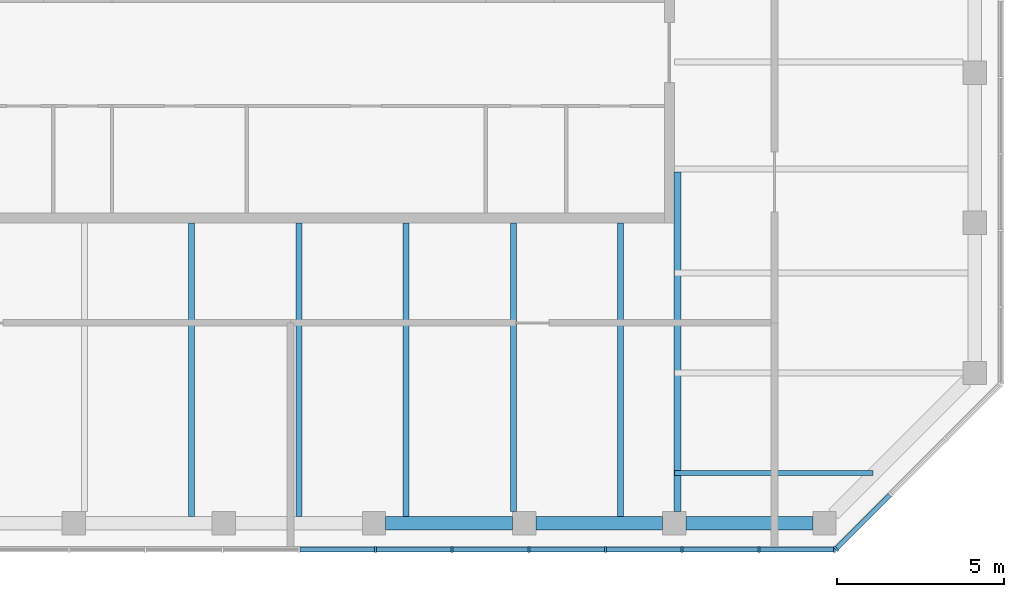
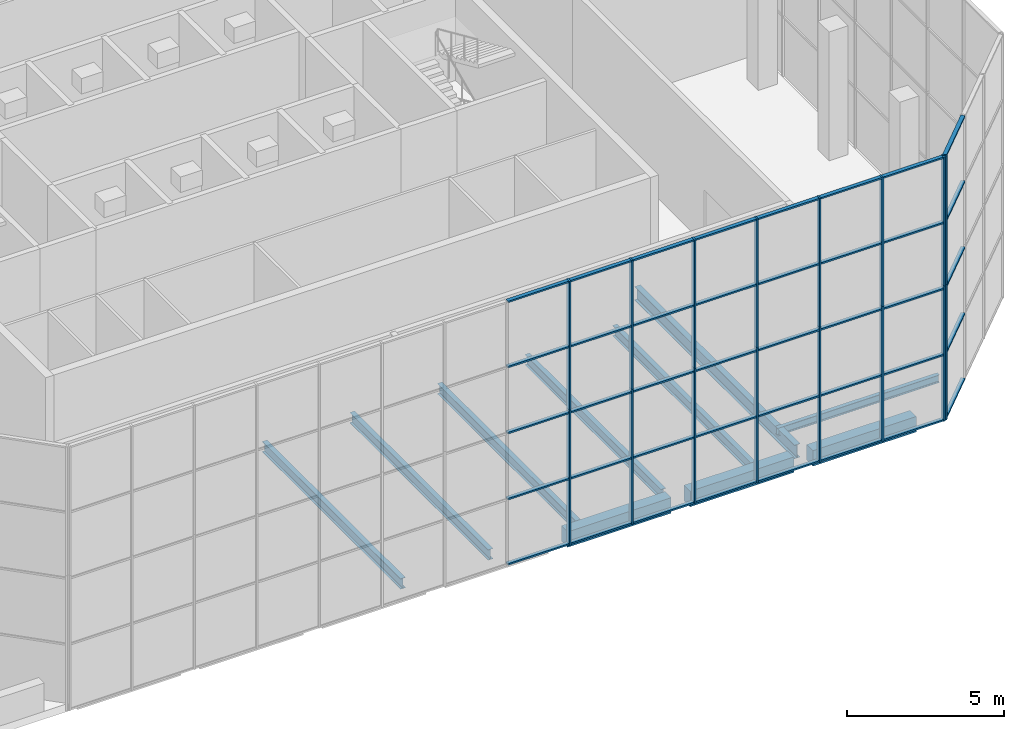
# One storey, part 5 of 19: 56 members, 10 beams, 2 elements without a shape of their own.
"""IFC4 building model written with IfcOpenShell, lengths in metres."""

from ifc_helpers import new_model, si_unit, direction, frame, origin, origin_2d, place, context, subcontext, project, spatial, rectangle, i_section, extrude, material, constituent, constituent_set, material_profile, profile_set, type_object, element, aggregate, save


model = new_model("IFC4")

# Units and contexts
model_context = context("Model", 3, precision=1e-05, world=origin(), true_north=direction((0.0, 1.0)))
body_context = subcontext(model_context, "Body", "Model", "MODEL_VIEW")
ifc_project = project(units=[si_unit("LENGTHUNIT", "METRE"), si_unit("AREAUNIT", "SQUARE_METRE"), si_unit("VOLUMEUNIT", "CUBIC_METRE"), si_unit("PLANEANGLEUNIT", "RADIAN"), si_unit("MASSUNIT", "GRAM", prefix="KILO")], contexts=[model_context])

# Site, building, storey
site_placement = place(None, origin())
site = spatial("IfcSite", under=ifc_project, at=site_placement, CompositionType="ELEMENT")
building_placement = place(site_placement, origin())
building = spatial("IfcBuilding", under=site, at=building_placement, Name="Quoin Convention Tower", CompositionType="ELEMENT")
storey_placement = place(building_placement, frame((0.0, 0.0, 263.699951171875)))
storey = spatial("IfcBuildingStorey", under=building, at=storey_placement, Name="L69", CompositionType="ELEMENT", Elevation=263.699951171875)

# Beams
ifc_material_1 = material(Name="Steel Grade 300", Category="steel")
ifc_material_profile_1 = material_profile(ifc_material_1, i_section(OverallWidth=0.14892578125, OverallDepth=0.298095703125, WebThickness=0.005615234375, FlangeThickness=0.008056640625, FilletRadius=0.012939453125, at=origin_2d()), Name="310UB32.0")
ifc_profile_set_1 = profile_set([ifc_material_profile_1], Name="Steel Grade 300")
beam_type_1 = type_object("IfcBeamType", Name="310UB32.0", PredefinedType="BEAM", material=ifc_profile_set_1)
beam_1_placement = place(storey_placement, frame((67.5, 42.0, -0.39892578125), z_axis=(1.0, 0.0, 0.0), x_axis=(0.0, 1.0, 0.0)))
element("IfcBeam", 1, at=beam_1_placement, inside=storey, type_object=beam_type_1, Name="bm-L69-T1SE0", PredefinedType="BEAM", context=body_context, shape_type="SweptSolid", body=[
    extrude(i_section(OverallWidth=0.14892578125, OverallDepth=0.298095703125, WebThickness=0.005615234375, FlangeThickness=0.008056640625, FilletRadius=0.012939453125, at=origin_2d()), origin(), (0.0, 0.0, 1.0), 5.947509765625),
])
ifc_material_profile_2 = material_profile(ifc_material_1, i_section(OverallWidth=0.177978515625, OverallDepth=0.403076171875, WebThickness=0.007568359375, FlangeThickness=0.010986328125, FilletRadius=0.011474609375, at=origin_2d()), Name="410UB53.7")
ifc_profile_set_2 = profile_set([ifc_material_profile_2], Name="Steel Grade 300")
beam_type_2 = type_object("IfcBeamType", Name="410UB53.7", PredefinedType="BEAM", material=ifc_profile_set_2)
for number, where, z_axis, x_axis, name in (
    (2, (53.03564453125, 40.699951171875, -0.451416015625), (0.0, 1.0, 0.0), (-1.0, 0.0, 0.0), "bm-L69-T1S2"),
    (3, (56.25, 40.699951171875, -0.451416015625), (0.0, 1.0, 0.0), (-1.0, 0.0, 0.0), "bm-L69-T1S3"),
    (4, (59.46435546875, 40.699951171875, -0.451416015625), (0.0, 1.0, 0.0), (-1.0, 0.0, 0.0), "bm-L69-T1S4"),
):
    element("IfcBeam", number, at=place(storey_placement, frame(where, z_axis=z_axis, x_axis=x_axis)), inside=storey, type_object=beam_type_2, Name=name, PredefinedType="BEAM", context=body_context, shape_type="SweptSolid", body=[
        extrude(i_section(OverallWidth=0.177978515625, OverallDepth=0.403076171875, WebThickness=0.007568359375, FlangeThickness=0.010986328125, FilletRadius=0.011474609375, at=origin_2d()), origin(), (0.0, 0.0, 1.0), 8.800048828125),
    ])
beam_2_placement = place(storey_placement, frame((62.6787109375, 40.85009765625, -0.451416015625), z_axis=(0.0, 1.0, 0.0), x_axis=(-1.0, 0.0, 0.0)))
element("IfcBeam", 5, at=beam_2_placement, inside=storey, type_object=beam_type_2, Name="bm-L69-T1S5", PredefinedType="BEAM", context=body_context, shape_type="SweptSolid", body=[
    extrude(i_section(OverallWidth=0.177978515625, OverallDepth=0.403076171875, WebThickness=0.007568359375, FlangeThickness=0.010986328125, FilletRadius=0.011474609375, at=origin_2d()), origin(), (0.0, 0.0, 1.0), 8.64990234375),
])
beam_3_placement = place(storey_placement, frame((65.892822265625, 40.699951171875, -0.451416015625), z_axis=(0.0, 1.0, 0.0), x_axis=(-1.0, 0.0, 0.0)))
element("IfcBeam", 6, at=beam_3_placement, inside=storey, type_object=beam_type_2, Name="bm-L69-T1S6", PredefinedType="BEAM", context=body_context, shape_type="SweptSolid", body=[
    extrude(i_section(OverallWidth=0.177978515625, OverallDepth=0.403076171875, WebThickness=0.007568359375, FlangeThickness=0.010986328125, FilletRadius=0.011474609375, at=origin_2d()), origin(), (0.0, 0.0, 1.0), 8.800048828125),
])
ifc_material_profile_3 = material_profile(ifc_material_1, i_section(OverallWidth=0.208984375, OverallDepth=0.528076171875, WebThickness=0.009521484375, FlangeThickness=0.01318359375, FilletRadius=0.013916015625, at=origin_2d()), Name="530UB82.0")
ifc_profile_set_3 = profile_set([ifc_material_profile_3], Name="Steel Grade 300")
beam_type_3 = type_object("IfcBeamType", Name="530UB82.0", PredefinedType="BEAM", material=ifc_profile_set_3)
beam_4_placement = place(storey_placement, frame((67.595458984375, 40.85009765625, -0.513916015625), z_axis=(0.0, 1.0, 0.0), x_axis=(-1.0, 0.0, 0.0)))
element("IfcBeam", 7, at=beam_4_placement, inside=storey, type_object=beam_type_3, Name="gir-L69-T1SE", PredefinedType="BEAM", context=body_context, shape_type="SweptSolid", body=[
    extrude(i_section(OverallWidth=0.208984375, OverallDepth=0.528076171875, WebThickness=0.009521484375, FlangeThickness=0.01318359375, FilletRadius=0.013916015625, at=origin_2d()), origin(), (0.0, 0.0, 1.0), 10.16796875),
])

# Curtain wall, members
ifc_material_2 = material(Name="Aluminium", Category="aluminium")
ifc_constituent_1 = constituent(ifc_material_2, Name="Frame")
ifc_material_3 = material(Name="Insulated glass", Category="glass")
ifc_constituent_2 = constituent(ifc_material_3, Name="Glazing")
ifc_constituent_set = constituent_set(constituents=[ifc_constituent_1, ifc_constituent_2], Name="Aluminium")
curtain_wall_type = type_object("IfcCurtainWallType", Name="Lantern wall system", PredefinedType="NOTDEFINED", material=ifc_constituent_set)
curtain_wall_1_placement = place(storey_placement, origin())
curtain_wall_1 = element("IfcCurtainWall", 8, at=curtain_wall_1_placement, inside=storey, type_object=curtain_wall_type, Name="crn-LNW-72000_40500", PredefinedType="NOTDEFINED")
ifc_material_profile_4 = material_profile(ifc_material_2, rectangle(XDim=0.179931640625, YDim=0.06005859375, at=origin_2d()), Name="Lantern wall mullion 60x180")
ifc_profile_set_4 = profile_set([ifc_material_profile_4], Name="Aluminium")
member_type_1 = type_object("IfcMemberType", Name="Lantern wall mullion 60x180", PredefinedType="MULLION", material=ifc_profile_set_4)
member_1_placement = place(storey_placement, frame((72.348388671875, 39.731201171875, -0.25), z_axis=(0.0, 0.0, 1.0), x_axis=(-0.707106781187, 0.707106781187, 0.0)))
member_1 = element("IfcMember", 9, at=member_1_placement, type_object=member_type_1, Name="CW5 mullion 1", PredefinedType="MULLION", context=body_context, shape_type="SweptSolid", body=[
    extrude(rectangle(XDim=0.179931640625, YDim=0.06005859375, at=origin_2d()), origin(), (0.0, 0.0, 1.0), 5.25),
])
member_2_placement = place(storey_placement, frame((72.348388671875, 39.731201171875, 5.0), z_axis=(0.0, 0.0, 1.0), x_axis=(-0.707106781187, 0.707106781187, 0.0)))
member_2 = element("IfcMember", 10, at=member_2_placement, type_object=member_type_1, Name="CW5 mullion 1", PredefinedType="MULLION", context=body_context, shape_type="SweptSolid", body=[
    extrude(rectangle(XDim=0.179931640625, YDim=0.06005859375, at=origin_2d()), origin(), (0.0, 0.0, 1.0), 5.0),
])

curtain_wall_2_placement = place(storey_placement, origin())
curtain_wall_2 = element("IfcCurtainWall", 11, at=curtain_wall_2_placement, inside=storey, type_object=curtain_wall_type, Name="crn-LNW-40500_40500", PredefinedType="NOTDEFINED")
member_3_placement = place(storey_placement, frame((58.546630859375, 39.7099609375, -0.25), z_axis=(0.0, 0.0, 1.0), x_axis=(0.0, 1.0, 0.0)))
member_3 = element("IfcMember", 12, at=member_3_placement, type_object=member_type_1, Name="CW5 mullion 9", PredefinedType="MULLION", context=body_context, shape_type="SweptSolid", body=[
    extrude(rectangle(XDim=0.179931640625, YDim=0.06005859375, at=origin_2d()), origin(), (0.0, 0.0, 1.0), 5.25),
])
member_4_placement = place(storey_placement, frame((60.843505859375, 39.7099609375, -0.25), z_axis=(0.0, 0.0, 1.0), x_axis=(0.0, 1.0, 0.0)))
member_4 = element("IfcMember", 13, at=member_4_placement, type_object=member_type_1, Name="CW5 mullion 10", PredefinedType="MULLION", context=body_context, shape_type="SweptSolid", body=[
    extrude(rectangle(XDim=0.179931640625, YDim=0.06005859375, at=origin_2d()), origin(), (0.0, 0.0, 1.0), 5.25),
])
member_5_placement = place(storey_placement, frame((63.14013671875, 39.7099609375, -0.25), z_axis=(0.0, 0.0, 1.0), x_axis=(0.0, 1.0, 0.0)))
member_5 = element("IfcMember", 14, at=member_5_placement, type_object=member_type_1, Name="CW5 mullion 11", PredefinedType="MULLION", context=body_context, shape_type="SweptSolid", body=[
    extrude(rectangle(XDim=0.179931640625, YDim=0.06005859375, at=origin_2d()), origin(), (0.0, 0.0, 1.0), 5.25),
])
member_6_placement = place(storey_placement, frame((65.43701171875, 39.7099609375, -0.25), z_axis=(0.0, 0.0, 1.0), x_axis=(0.0, 1.0, 0.0)))
member_6 = element("IfcMember", 15, at=member_6_placement, type_object=member_type_1, Name="CW5 mullion 12", PredefinedType="MULLION", context=body_context, shape_type="SweptSolid", body=[
    extrude(rectangle(XDim=0.179931640625, YDim=0.06005859375, at=origin_2d()), origin(), (0.0, 0.0, 1.0), 5.25),
])
member_7_placement = place(storey_placement, frame((67.733642578125, 39.7099609375, -0.25), z_axis=(0.0, 0.0, 1.0), x_axis=(0.0, 1.0, 0.0)))
member_7 = element("IfcMember", 16, at=member_7_placement, type_object=member_type_1, Name="CW5 mullion 13", PredefinedType="MULLION", context=body_context, shape_type="SweptSolid", body=[
    extrude(rectangle(XDim=0.179931640625, YDim=0.06005859375, at=origin_2d()), origin(), (0.0, 0.0, 1.0), 5.25),
])
member_8_placement = place(storey_placement, frame((70.030517578125, 39.7099609375, -0.25), z_axis=(0.0, 0.0, 1.0), x_axis=(0.0, 1.0, 0.0)))
member_8 = element("IfcMember", 17, at=member_8_placement, type_object=member_type_1, Name="CW5 mullion 14", PredefinedType="MULLION", context=body_context, shape_type="SweptSolid", body=[
    extrude(rectangle(XDim=0.179931640625, YDim=0.06005859375, at=origin_2d()), origin(), (0.0, 0.0, 1.0), 5.25),
])
member_9_placement = place(storey_placement, frame((72.297119140625, 39.7099609375, -0.25), z_axis=(0.0, 0.0, 1.0), x_axis=(0.0, 1.0, 0.0)))
member_9 = element("IfcMember", 18, at=member_9_placement, type_object=member_type_1, Name="CW5 mullion 15", PredefinedType="MULLION", context=body_context, shape_type="SweptSolid", body=[
    extrude(rectangle(XDim=0.179931640625, YDim=0.06005859375, at=origin_2d()), origin(), (0.0, 0.0, 1.0), 5.25),
])
member_10_placement = place(storey_placement, frame((58.546630859375, 39.7099609375, 5.0), z_axis=(0.0, 0.0, 1.0), x_axis=(0.0, 1.0, 0.0)))
member_10 = element("IfcMember", 19, at=member_10_placement, type_object=member_type_1, Name="CW5 mullion 9", PredefinedType="MULLION", context=body_context, shape_type="SweptSolid", body=[
    extrude(rectangle(XDim=0.179931640625, YDim=0.06005859375, at=origin_2d()), origin(), (0.0, 0.0, 1.0), 5.0),
])
member_11_placement = place(storey_placement, frame((60.843505859375, 39.7099609375, 5.0), z_axis=(0.0, 0.0, 1.0), x_axis=(0.0, 1.0, 0.0)))
member_11 = element("IfcMember", 20, at=member_11_placement, type_object=member_type_1, Name="CW5 mullion 10", PredefinedType="MULLION", context=body_context, shape_type="SweptSolid", body=[
    extrude(rectangle(XDim=0.179931640625, YDim=0.06005859375, at=origin_2d()), origin(), (0.0, 0.0, 1.0), 5.0),
])
member_12_placement = place(storey_placement, frame((63.14013671875, 39.7099609375, 5.0), z_axis=(0.0, 0.0, 1.0), x_axis=(0.0, 1.0, 0.0)))
member_12 = element("IfcMember", 21, at=member_12_placement, type_object=member_type_1, Name="CW5 mullion 11", PredefinedType="MULLION", context=body_context, shape_type="SweptSolid", body=[
    extrude(rectangle(XDim=0.179931640625, YDim=0.06005859375, at=origin_2d()), origin(), (0.0, 0.0, 1.0), 5.0),
])
member_13_placement = place(storey_placement, frame((65.43701171875, 39.7099609375, 5.0), z_axis=(0.0, 0.0, 1.0), x_axis=(0.0, 1.0, 0.0)))
member_13 = element("IfcMember", 22, at=member_13_placement, type_object=member_type_1, Name="CW5 mullion 12", PredefinedType="MULLION", context=body_context, shape_type="SweptSolid", body=[
    extrude(rectangle(XDim=0.179931640625, YDim=0.06005859375, at=origin_2d()), origin(), (0.0, 0.0, 1.0), 5.0),
])
member_14_placement = place(storey_placement, frame((67.733642578125, 39.7099609375, 5.0), z_axis=(0.0, 0.0, 1.0), x_axis=(0.0, 1.0, 0.0)))
member_14 = element("IfcMember", 23, at=member_14_placement, type_object=member_type_1, Name="CW5 mullion 13", PredefinedType="MULLION", context=body_context, shape_type="SweptSolid", body=[
    extrude(rectangle(XDim=0.179931640625, YDim=0.06005859375, at=origin_2d()), origin(), (0.0, 0.0, 1.0), 5.0),
])
member_15_placement = place(storey_placement, frame((70.030517578125, 39.7099609375, 5.0), z_axis=(0.0, 0.0, 1.0), x_axis=(0.0, 1.0, 0.0)))
member_15 = element("IfcMember", 24, at=member_15_placement, type_object=member_type_1, Name="CW5 mullion 14", PredefinedType="MULLION", context=body_context, shape_type="SweptSolid", body=[
    extrude(rectangle(XDim=0.179931640625, YDim=0.06005859375, at=origin_2d()), origin(), (0.0, 0.0, 1.0), 5.0),
])
member_16_placement = place(storey_placement, frame((72.297119140625, 39.7099609375, 5.0), z_axis=(0.0, 0.0, 1.0), x_axis=(0.0, 1.0, 0.0)))
member_16 = element("IfcMember", 25, at=member_16_placement, type_object=member_type_1, Name="CW5 mullion 15", PredefinedType="MULLION", context=body_context, shape_type="SweptSolid", body=[
    extrude(rectangle(XDim=0.179931640625, YDim=0.06005859375, at=origin_2d()), origin(), (0.0, 0.0, 1.0), 5.0),
])

# Member
ifc_material_profile_5 = material_profile(ifc_material_2, rectangle(XDim=0.139892578125, YDim=0.06005859375, at=origin_2d()), Name="Lantern wall transom 60x140")
ifc_profile_set_5 = profile_set([ifc_material_profile_5], Name="Aluminium")
member_type_2 = type_object("IfcMemberType", Name="Lantern wall transom 60x140", PredefinedType="USERDEFINED", material=ifc_profile_set_5)
member_17_placement = place(storey_placement, frame((72.36962890625, 39.75244140625, -0.219970703125), z_axis=(0.707106781187, 0.707106781187, 0.0), x_axis=(-0.707106781187, 0.707106781187, 0.0)))
member_17 = element("IfcMember", 26, at=member_17_placement, type_object=member_type_2, Name="CW5 transom 1.1", ObjectType="TRANSOM", PredefinedType="USERDEFINED", context=body_context, shape_type="SweptSolid", body=[
    extrude(rectangle(XDim=0.139892578125, YDim=0.06005859375, at=origin_2d()), origin(), (0.0, 0.0, 1.0), 2.24951171875),
])

member_18_placement = place(storey_placement, frame((72.36962890625, 39.75244140625, 2.3125), z_axis=(0.707106781187, 0.707106781187, 0.0), x_axis=(-0.707106781187, 0.707106781187, 0.0)))
member_18 = element("IfcMember", 27, at=member_18_placement, type_object=member_type_2, Name="CW5 transom 1.2", ObjectType="TRANSOM", PredefinedType="USERDEFINED", context=body_context, shape_type="SweptSolid", body=[
    extrude(rectangle(XDim=0.139892578125, YDim=0.06005859375, at=origin_2d()), origin(), (0.0, 0.0, 1.0), 2.24951171875),
])

member_19_placement = place(storey_placement, frame((72.36962890625, 39.75244140625, 4.875), z_axis=(0.707106781187, 0.707106781187, 0.0), x_axis=(-0.707106781187, 0.707106781187, 0.0)))
member_19 = element("IfcMember", 28, at=member_19_placement, type_object=member_type_2, Name="CW5 transom 1.3", ObjectType="TRANSOM", PredefinedType="USERDEFINED", context=body_context, shape_type="SweptSolid", body=[
    extrude(rectangle(XDim=0.139892578125, YDim=0.06005859375, at=origin_2d()), origin(), (0.0, 0.0, 1.0), 2.24951171875),
])

member_20_placement = place(storey_placement, frame((72.36962890625, 39.75244140625, 7.4375), z_axis=(0.707106781187, 0.707106781187, 0.0), x_axis=(-0.707106781187, 0.707106781187, 0.0)))
member_20 = element("IfcMember", 29, at=member_20_placement, type_object=member_type_2, Name="CW5 transom 1.4", ObjectType="TRANSOM", PredefinedType="USERDEFINED", context=body_context, shape_type="SweptSolid", body=[
    extrude(rectangle(XDim=0.139892578125, YDim=0.06005859375, at=origin_2d()), origin(), (0.0, 0.0, 1.0), 2.24951171875),
])

member_21_placement = place(storey_placement, frame((72.36962890625, 39.75244140625, 9.969970703125), z_axis=(0.707106781187, 0.707106781187, 0.0), x_axis=(-0.707106781187, 0.707106781187, 0.0)))
member_21 = element("IfcMember", 30, at=member_21_placement, type_object=member_type_2, Name="CW5 transom 1.5", ObjectType="TRANSOM", PredefinedType="USERDEFINED", context=body_context, shape_type="SweptSolid", body=[
    extrude(rectangle(XDim=0.139892578125, YDim=0.06005859375, at=origin_2d()), origin(), (0.0, 0.0, 1.0), 2.24951171875),
])

aggregate(curtain_wall_1, [member_1, member_17, member_18, member_19, member_20, member_21, member_2])

member_22_placement = place(storey_placement, frame((56.280029296875, 39.7099609375, -0.219970703125), z_axis=(1.0, 0.0, 0.0), x_axis=(0.0, 1.0, 0.0)))
member_22 = element("IfcMember", 31, at=member_22_placement, type_object=member_type_2, Name="CW5 transom 8.1", ObjectType="TRANSOM", PredefinedType="USERDEFINED", context=body_context, shape_type="SweptSolid", body=[
    extrude(rectangle(XDim=0.139892578125, YDim=0.06005859375, at=origin_2d()), origin(), (0.0, 0.0, 1.0), 2.23681640625),
])

member_23_placement = place(storey_placement, frame((56.280029296875, 39.7099609375, 2.3125), z_axis=(1.0, 0.0, 0.0), x_axis=(0.0, 1.0, 0.0)))
member_23 = element("IfcMember", 32, at=member_23_placement, type_object=member_type_2, Name="CW5 transom 8.2", ObjectType="TRANSOM", PredefinedType="USERDEFINED", context=body_context, shape_type="SweptSolid", body=[
    extrude(rectangle(XDim=0.139892578125, YDim=0.06005859375, at=origin_2d()), origin(), (0.0, 0.0, 1.0), 2.23681640625),
])

member_24_placement = place(storey_placement, frame((56.280029296875, 39.7099609375, 4.875), z_axis=(1.0, 0.0, 0.0), x_axis=(0.0, 1.0, 0.0)))
member_24 = element("IfcMember", 33, at=member_24_placement, type_object=member_type_2, Name="CW5 transom 8.3", ObjectType="TRANSOM", PredefinedType="USERDEFINED", context=body_context, shape_type="SweptSolid", body=[
    extrude(rectangle(XDim=0.139892578125, YDim=0.06005859375, at=origin_2d()), origin(), (0.0, 0.0, 1.0), 2.23681640625),
])

member_25_placement = place(storey_placement, frame((56.280029296875, 39.7099609375, 7.4375), z_axis=(1.0, 0.0, 0.0), x_axis=(0.0, 1.0, 0.0)))
member_25 = element("IfcMember", 34, at=member_25_placement, type_object=member_type_2, Name="CW5 transom 8.4", ObjectType="TRANSOM", PredefinedType="USERDEFINED", context=body_context, shape_type="SweptSolid", body=[
    extrude(rectangle(XDim=0.139892578125, YDim=0.06005859375, at=origin_2d()), origin(), (0.0, 0.0, 1.0), 2.23681640625),
])

member_26_placement = place(storey_placement, frame((56.280029296875, 39.7099609375, 9.969970703125), z_axis=(1.0, 0.0, 0.0), x_axis=(0.0, 1.0, 0.0)))
member_26 = element("IfcMember", 35, at=member_26_placement, type_object=member_type_2, Name="CW5 transom 8.5", ObjectType="TRANSOM", PredefinedType="USERDEFINED", context=body_context, shape_type="SweptSolid", body=[
    extrude(rectangle(XDim=0.139892578125, YDim=0.06005859375, at=origin_2d()), origin(), (0.0, 0.0, 1.0), 2.23681640625),
])

member_27_placement = place(storey_placement, frame((58.57666015625, 39.7099609375, -0.219970703125), z_axis=(1.0, 0.0, 0.0), x_axis=(0.0, 1.0, 0.0)))
member_27 = element("IfcMember", 36, at=member_27_placement, type_object=member_type_2, Name="CW5 transom 9.1", ObjectType="TRANSOM", PredefinedType="USERDEFINED", context=body_context, shape_type="SweptSolid", body=[
    extrude(rectangle(XDim=0.139892578125, YDim=0.06005859375, at=origin_2d()), origin(), (0.0, 0.0, 1.0), 2.23681640625),
])

member_28_placement = place(storey_placement, frame((58.57666015625, 39.7099609375, 2.3125), z_axis=(1.0, 0.0, 0.0), x_axis=(0.0, 1.0, 0.0)))
member_28 = element("IfcMember", 37, at=member_28_placement, type_object=member_type_2, Name="CW5 transom 9.2", ObjectType="TRANSOM", PredefinedType="USERDEFINED", context=body_context, shape_type="SweptSolid", body=[
    extrude(rectangle(XDim=0.139892578125, YDim=0.06005859375, at=origin_2d()), origin(), (0.0, 0.0, 1.0), 2.23681640625),
])

member_29_placement = place(storey_placement, frame((58.57666015625, 39.7099609375, 4.875), z_axis=(1.0, 0.0, 0.0), x_axis=(0.0, 1.0, 0.0)))
member_29 = element("IfcMember", 38, at=member_29_placement, type_object=member_type_2, Name="CW5 transom 9.3", ObjectType="TRANSOM", PredefinedType="USERDEFINED", context=body_context, shape_type="SweptSolid", body=[
    extrude(rectangle(XDim=0.139892578125, YDim=0.06005859375, at=origin_2d()), origin(), (0.0, 0.0, 1.0), 2.23681640625),
])

member_30_placement = place(storey_placement, frame((58.57666015625, 39.7099609375, 7.4375), z_axis=(1.0, 0.0, 0.0), x_axis=(0.0, 1.0, 0.0)))
member_30 = element("IfcMember", 39, at=member_30_placement, type_object=member_type_2, Name="CW5 transom 9.4", ObjectType="TRANSOM", PredefinedType="USERDEFINED", context=body_context, shape_type="SweptSolid", body=[
    extrude(rectangle(XDim=0.139892578125, YDim=0.06005859375, at=origin_2d()), origin(), (0.0, 0.0, 1.0), 2.23681640625),
])

member_31_placement = place(storey_placement, frame((58.57666015625, 39.7099609375, 9.969970703125), z_axis=(1.0, 0.0, 0.0), x_axis=(0.0, 1.0, 0.0)))
member_31 = element("IfcMember", 40, at=member_31_placement, type_object=member_type_2, Name="CW5 transom 9.5", ObjectType="TRANSOM", PredefinedType="USERDEFINED", context=body_context, shape_type="SweptSolid", body=[
    extrude(rectangle(XDim=0.139892578125, YDim=0.06005859375, at=origin_2d()), origin(), (0.0, 0.0, 1.0), 2.23681640625),
])

member_32_placement = place(storey_placement, frame((60.87353515625, 39.7099609375, -0.219970703125), z_axis=(1.0, 0.0, 0.0), x_axis=(0.0, 1.0, 0.0)))
member_32 = element("IfcMember", 41, at=member_32_placement, type_object=member_type_2, Name="CW5 transom 10.1", ObjectType="TRANSOM", PredefinedType="USERDEFINED", context=body_context, shape_type="SweptSolid", body=[
    extrude(rectangle(XDim=0.139892578125, YDim=0.06005859375, at=origin_2d()), origin(), (0.0, 0.0, 1.0), 2.236572265625),
])

member_33_placement = place(storey_placement, frame((60.87353515625, 39.7099609375, 2.3125), z_axis=(1.0, 0.0, 0.0), x_axis=(0.0, 1.0, 0.0)))
member_33 = element("IfcMember", 42, at=member_33_placement, type_object=member_type_2, Name="CW5 transom 10.2", ObjectType="TRANSOM", PredefinedType="USERDEFINED", context=body_context, shape_type="SweptSolid", body=[
    extrude(rectangle(XDim=0.139892578125, YDim=0.06005859375, at=origin_2d()), origin(), (0.0, 0.0, 1.0), 2.236572265625),
])

member_34_placement = place(storey_placement, frame((60.87353515625, 39.7099609375, 4.875), z_axis=(1.0, 0.0, 0.0), x_axis=(0.0, 1.0, 0.0)))
member_34 = element("IfcMember", 43, at=member_34_placement, type_object=member_type_2, Name="CW5 transom 10.3", ObjectType="TRANSOM", PredefinedType="USERDEFINED", context=body_context, shape_type="SweptSolid", body=[
    extrude(rectangle(XDim=0.139892578125, YDim=0.06005859375, at=origin_2d()), origin(), (0.0, 0.0, 1.0), 2.236572265625),
])

member_35_placement = place(storey_placement, frame((60.87353515625, 39.7099609375, 7.4375), z_axis=(1.0, 0.0, 0.0), x_axis=(0.0, 1.0, 0.0)))
member_35 = element("IfcMember", 44, at=member_35_placement, type_object=member_type_2, Name="CW5 transom 10.4", ObjectType="TRANSOM", PredefinedType="USERDEFINED", context=body_context, shape_type="SweptSolid", body=[
    extrude(rectangle(XDim=0.139892578125, YDim=0.06005859375, at=origin_2d()), origin(), (0.0, 0.0, 1.0), 2.236572265625),
])

member_36_placement = place(storey_placement, frame((60.87353515625, 39.7099609375, 9.969970703125), z_axis=(1.0, 0.0, 0.0), x_axis=(0.0, 1.0, 0.0)))
member_36 = element("IfcMember", 45, at=member_36_placement, type_object=member_type_2, Name="CW5 transom 10.5", ObjectType="TRANSOM", PredefinedType="USERDEFINED", context=body_context, shape_type="SweptSolid", body=[
    extrude(rectangle(XDim=0.139892578125, YDim=0.06005859375, at=origin_2d()), origin(), (0.0, 0.0, 1.0), 2.236572265625),
])

member_37_placement = place(storey_placement, frame((63.170166015625, 39.7099609375, -0.219970703125), z_axis=(1.0, 0.0, 0.0), x_axis=(0.0, 1.0, 0.0)))
member_37 = element("IfcMember", 46, at=member_37_placement, type_object=member_type_2, Name="CW5 transom 11.1", ObjectType="TRANSOM", PredefinedType="USERDEFINED", context=body_context, shape_type="SweptSolid", body=[
    extrude(rectangle(XDim=0.139892578125, YDim=0.06005859375, at=origin_2d()), origin(), (0.0, 0.0, 1.0), 2.23681640625),
])

member_38_placement = place(storey_placement, frame((63.170166015625, 39.7099609375, 2.3125), z_axis=(1.0, 0.0, 0.0), x_axis=(0.0, 1.0, 0.0)))
member_38 = element("IfcMember", 47, at=member_38_placement, type_object=member_type_2, Name="CW5 transom 11.2", ObjectType="TRANSOM", PredefinedType="USERDEFINED", context=body_context, shape_type="SweptSolid", body=[
    extrude(rectangle(XDim=0.139892578125, YDim=0.06005859375, at=origin_2d()), origin(), (0.0, 0.0, 1.0), 2.23681640625),
])

member_39_placement = place(storey_placement, frame((63.170166015625, 39.7099609375, 4.875), z_axis=(1.0, 0.0, 0.0), x_axis=(0.0, 1.0, 0.0)))
member_39 = element("IfcMember", 48, at=member_39_placement, type_object=member_type_2, Name="CW5 transom 11.3", ObjectType="TRANSOM", PredefinedType="USERDEFINED", context=body_context, shape_type="SweptSolid", body=[
    extrude(rectangle(XDim=0.139892578125, YDim=0.06005859375, at=origin_2d()), origin(), (0.0, 0.0, 1.0), 2.23681640625),
])

member_40_placement = place(storey_placement, frame((63.170166015625, 39.7099609375, 7.4375), z_axis=(1.0, 0.0, 0.0), x_axis=(0.0, 1.0, 0.0)))
member_40 = element("IfcMember", 49, at=member_40_placement, type_object=member_type_2, Name="CW5 transom 11.4", ObjectType="TRANSOM", PredefinedType="USERDEFINED", context=body_context, shape_type="SweptSolid", body=[
    extrude(rectangle(XDim=0.139892578125, YDim=0.06005859375, at=origin_2d()), origin(), (0.0, 0.0, 1.0), 2.23681640625),
])

member_41_placement = place(storey_placement, frame((63.170166015625, 39.7099609375, 9.969970703125), z_axis=(1.0, 0.0, 0.0), x_axis=(0.0, 1.0, 0.0)))
member_41 = element("IfcMember", 50, at=member_41_placement, type_object=member_type_2, Name="CW5 transom 11.5", ObjectType="TRANSOM", PredefinedType="USERDEFINED", context=body_context, shape_type="SweptSolid", body=[
    extrude(rectangle(XDim=0.139892578125, YDim=0.06005859375, at=origin_2d()), origin(), (0.0, 0.0, 1.0), 2.23681640625),
])

member_42_placement = place(storey_placement, frame((65.467041015625, 39.7099609375, -0.219970703125), z_axis=(1.0, 0.0, 0.0), x_axis=(0.0, 1.0, 0.0)))
member_42 = element("IfcMember", 51, at=member_42_placement, type_object=member_type_2, Name="CW5 transom 12.1", ObjectType="TRANSOM", PredefinedType="USERDEFINED", context=body_context, shape_type="SweptSolid", body=[
    extrude(rectangle(XDim=0.139892578125, YDim=0.06005859375, at=origin_2d()), origin(), (0.0, 0.0, 1.0), 2.236572265625),
])

member_43_placement = place(storey_placement, frame((65.467041015625, 39.7099609375, 2.3125), z_axis=(1.0, 0.0, 0.0), x_axis=(0.0, 1.0, 0.0)))
member_43 = element("IfcMember", 52, at=member_43_placement, type_object=member_type_2, Name="CW5 transom 12.2", ObjectType="TRANSOM", PredefinedType="USERDEFINED", context=body_context, shape_type="SweptSolid", body=[
    extrude(rectangle(XDim=0.139892578125, YDim=0.06005859375, at=origin_2d()), origin(), (0.0, 0.0, 1.0), 2.236572265625),
])

member_44_placement = place(storey_placement, frame((65.467041015625, 39.7099609375, 4.875), z_axis=(1.0, 0.0, 0.0), x_axis=(0.0, 1.0, 0.0)))
member_44 = element("IfcMember", 53, at=member_44_placement, type_object=member_type_2, Name="CW5 transom 12.3", ObjectType="TRANSOM", PredefinedType="USERDEFINED", context=body_context, shape_type="SweptSolid", body=[
    extrude(rectangle(XDim=0.139892578125, YDim=0.06005859375, at=origin_2d()), origin(), (0.0, 0.0, 1.0), 2.236572265625),
])

member_45_placement = place(storey_placement, frame((65.467041015625, 39.7099609375, 7.4375), z_axis=(1.0, 0.0, 0.0), x_axis=(0.0, 1.0, 0.0)))
member_45 = element("IfcMember", 54, at=member_45_placement, type_object=member_type_2, Name="CW5 transom 12.4", ObjectType="TRANSOM", PredefinedType="USERDEFINED", context=body_context, shape_type="SweptSolid", body=[
    extrude(rectangle(XDim=0.139892578125, YDim=0.06005859375, at=origin_2d()), origin(), (0.0, 0.0, 1.0), 2.236572265625),
])

member_46_placement = place(storey_placement, frame((65.467041015625, 39.7099609375, 9.969970703125), z_axis=(1.0, 0.0, 0.0), x_axis=(0.0, 1.0, 0.0)))
member_46 = element("IfcMember", 55, at=member_46_placement, type_object=member_type_2, Name="CW5 transom 12.5", ObjectType="TRANSOM", PredefinedType="USERDEFINED", context=body_context, shape_type="SweptSolid", body=[
    extrude(rectangle(XDim=0.139892578125, YDim=0.06005859375, at=origin_2d()), origin(), (0.0, 0.0, 1.0), 2.236572265625),
])

member_47_placement = place(storey_placement, frame((67.763671875, 39.7099609375, -0.219970703125), z_axis=(1.0, 0.0, 0.0), x_axis=(0.0, 1.0, 0.0)))
member_47 = element("IfcMember", 56, at=member_47_placement, type_object=member_type_2, Name="CW5 transom 13.1", ObjectType="TRANSOM", PredefinedType="USERDEFINED", context=body_context, shape_type="SweptSolid", body=[
    extrude(rectangle(XDim=0.139892578125, YDim=0.06005859375, at=origin_2d()), origin(), (0.0, 0.0, 1.0), 2.23681640625),
])

member_48_placement = place(storey_placement, frame((67.763671875, 39.7099609375, 2.3125), z_axis=(1.0, 0.0, 0.0), x_axis=(0.0, 1.0, 0.0)))
member_48 = element("IfcMember", 57, at=member_48_placement, type_object=member_type_2, Name="CW5 transom 13.2", ObjectType="TRANSOM", PredefinedType="USERDEFINED", context=body_context, shape_type="SweptSolid", body=[
    extrude(rectangle(XDim=0.139892578125, YDim=0.06005859375, at=origin_2d()), origin(), (0.0, 0.0, 1.0), 2.23681640625),
])

member_49_placement = place(storey_placement, frame((67.763671875, 39.7099609375, 4.875), z_axis=(1.0, 0.0, 0.0), x_axis=(0.0, 1.0, 0.0)))
member_49 = element("IfcMember", 58, at=member_49_placement, type_object=member_type_2, Name="CW5 transom 13.3", ObjectType="TRANSOM", PredefinedType="USERDEFINED", context=body_context, shape_type="SweptSolid", body=[
    extrude(rectangle(XDim=0.139892578125, YDim=0.06005859375, at=origin_2d()), origin(), (0.0, 0.0, 1.0), 2.23681640625),
])

member_50_placement = place(storey_placement, frame((67.763671875, 39.7099609375, 7.4375), z_axis=(1.0, 0.0, 0.0), x_axis=(0.0, 1.0, 0.0)))
member_50 = element("IfcMember", 59, at=member_50_placement, type_object=member_type_2, Name="CW5 transom 13.4", ObjectType="TRANSOM", PredefinedType="USERDEFINED", context=body_context, shape_type="SweptSolid", body=[
    extrude(rectangle(XDim=0.139892578125, YDim=0.06005859375, at=origin_2d()), origin(), (0.0, 0.0, 1.0), 2.23681640625),
])

member_51_placement = place(storey_placement, frame((67.763671875, 39.7099609375, 9.969970703125), z_axis=(1.0, 0.0, 0.0), x_axis=(0.0, 1.0, 0.0)))
member_51 = element("IfcMember", 60, at=member_51_placement, type_object=member_type_2, Name="CW5 transom 13.5", ObjectType="TRANSOM", PredefinedType="USERDEFINED", context=body_context, shape_type="SweptSolid", body=[
    extrude(rectangle(XDim=0.139892578125, YDim=0.06005859375, at=origin_2d()), origin(), (0.0, 0.0, 1.0), 2.23681640625),
])

member_52_placement = place(storey_placement, frame((70.060546875, 39.7099609375, -0.219970703125), z_axis=(1.0, 0.0, 0.0), x_axis=(0.0, 1.0, 0.0)))
member_52 = element("IfcMember", 61, at=member_52_placement, type_object=member_type_2, Name="CW5 transom 14.1", ObjectType="TRANSOM", PredefinedType="USERDEFINED", context=body_context, shape_type="SweptSolid", body=[
    extrude(rectangle(XDim=0.139892578125, YDim=0.06005859375, at=origin_2d()), origin(), (0.0, 0.0, 1.0), 2.20654296875),
])

member_53_placement = place(storey_placement, frame((70.060546875, 39.7099609375, 2.3125), z_axis=(1.0, 0.0, 0.0), x_axis=(0.0, 1.0, 0.0)))
member_53 = element("IfcMember", 62, at=member_53_placement, type_object=member_type_2, Name="CW5 transom 14.2", ObjectType="TRANSOM", PredefinedType="USERDEFINED", context=body_context, shape_type="SweptSolid", body=[
    extrude(rectangle(XDim=0.139892578125, YDim=0.06005859375, at=origin_2d()), origin(), (0.0, 0.0, 1.0), 2.20654296875),
])

member_54_placement = place(storey_placement, frame((70.060546875, 39.7099609375, 4.875), z_axis=(1.0, 0.0, 0.0), x_axis=(0.0, 1.0, 0.0)))
member_54 = element("IfcMember", 63, at=member_54_placement, type_object=member_type_2, Name="CW5 transom 14.3", ObjectType="TRANSOM", PredefinedType="USERDEFINED", context=body_context, shape_type="SweptSolid", body=[
    extrude(rectangle(XDim=0.139892578125, YDim=0.06005859375, at=origin_2d()), origin(), (0.0, 0.0, 1.0), 2.20654296875),
])

member_55_placement = place(storey_placement, frame((70.060546875, 39.7099609375, 7.4375), z_axis=(1.0, 0.0, 0.0), x_axis=(0.0, 1.0, 0.0)))
member_55 = element("IfcMember", 64, at=member_55_placement, type_object=member_type_2, Name="CW5 transom 14.4", ObjectType="TRANSOM", PredefinedType="USERDEFINED", context=body_context, shape_type="SweptSolid", body=[
    extrude(rectangle(XDim=0.139892578125, YDim=0.06005859375, at=origin_2d()), origin(), (0.0, 0.0, 1.0), 2.20654296875),
])

member_56_placement = place(storey_placement, frame((70.060546875, 39.7099609375, 9.969970703125), z_axis=(1.0, 0.0, 0.0), x_axis=(0.0, 1.0, 0.0)))
member_56 = element("IfcMember", 65, at=member_56_placement, type_object=member_type_2, Name="CW5 transom 14.5", ObjectType="TRANSOM", PredefinedType="USERDEFINED", context=body_context, shape_type="SweptSolid", body=[
    extrude(rectangle(XDim=0.139892578125, YDim=0.06005859375, at=origin_2d()), origin(), (0.0, 0.0, 1.0), 2.20654296875),
])

aggregate(curtain_wall_2, [member_3, member_4, member_5, member_6, member_7, member_8, member_9, member_22, member_23, member_24, member_25, member_26, member_27, member_28, member_29, member_30, member_31, member_32, member_33, member_34, member_35, member_36, member_37, member_38, member_39, member_40, member_41, member_42, member_43, member_44, member_45, member_46, member_47, member_48, member_49, member_50, member_51, member_52, member_53, member_54, member_55, member_56, member_10, member_11, member_12, member_13, member_14, member_15, member_16])

# Beams
ifc_material_4 = material(Name="Concrete C40", Category="concrete")
ifc_material_profile_6 = material_profile(ifc_material_4, rectangle(XDim=0.39990234375, YDim=0.60009765625, at=origin_2d()), Name="RC 400x600")
ifc_profile_set_6 = profile_set([ifc_material_profile_6], Name="Concrete C40")
beam_type_4 = type_object("IfcBeamType", Name="RC 400x600 C40", PredefinedType="SPANDREL", material=ifc_profile_set_6)
for number, where, z_axis, x_axis, name in (
    (66, (58.85009765625, 40.5, -0.550048828125), (1.0, 0.0, 0.0), (0.0, 1.0, 0.0), "spd-L69-58500_40500-63000_40500"),
    (67, (63.35009765625, 40.5, -0.550048828125), (1.0, 0.0, 0.0), (0.0, 1.0, 0.0), "spd-L69-63000_40500-67500_40500"),
    (68, (67.85009765625, 40.5, -0.550048828125), (1.0, 0.0, 0.0), (0.0, 1.0, 0.0), "spd-L69-67500_40500-72000_40500"),
):
    element("IfcBeam", number, at=place(storey_placement, frame(where, z_axis=z_axis, x_axis=x_axis)), inside=storey, type_object=beam_type_4, Name=name, PredefinedType="SPANDREL", context=body_context, shape_type="SweptSolid", body=[
        extrude(rectangle(XDim=0.39990234375, YDim=0.60009765625, at=origin_2d()), origin(), (0.0, 0.0, 1.0), 3.7998046875),
    ])

save(model, "model.ifc")
